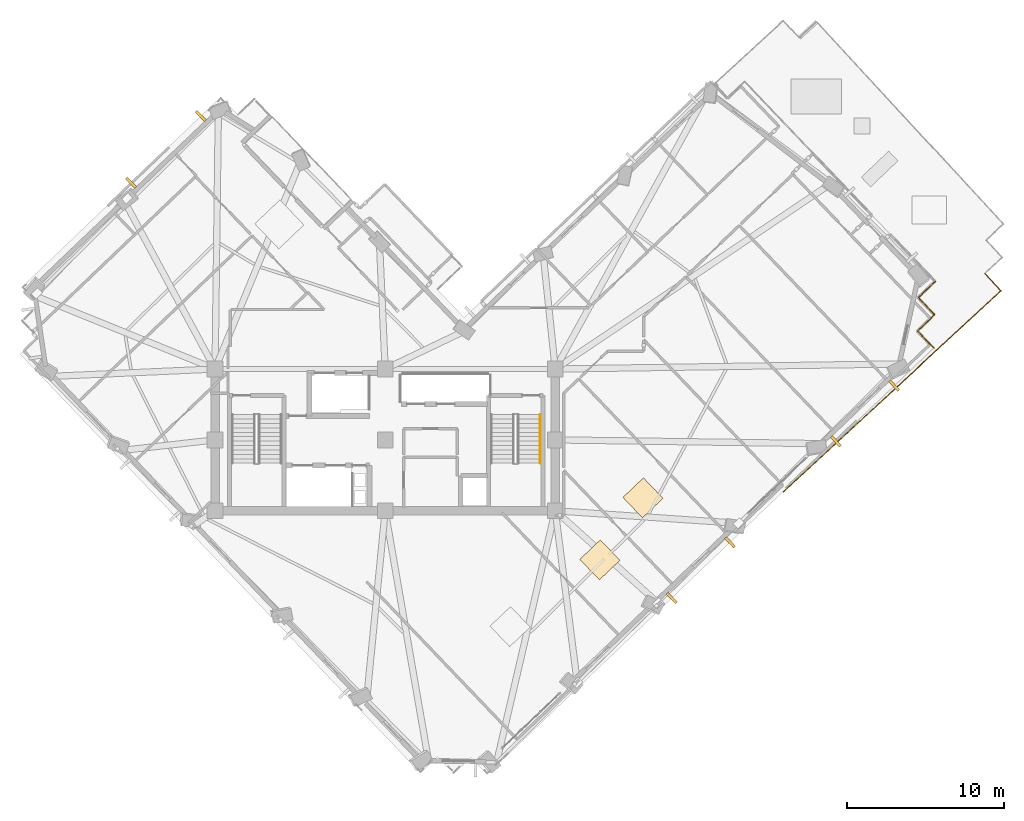
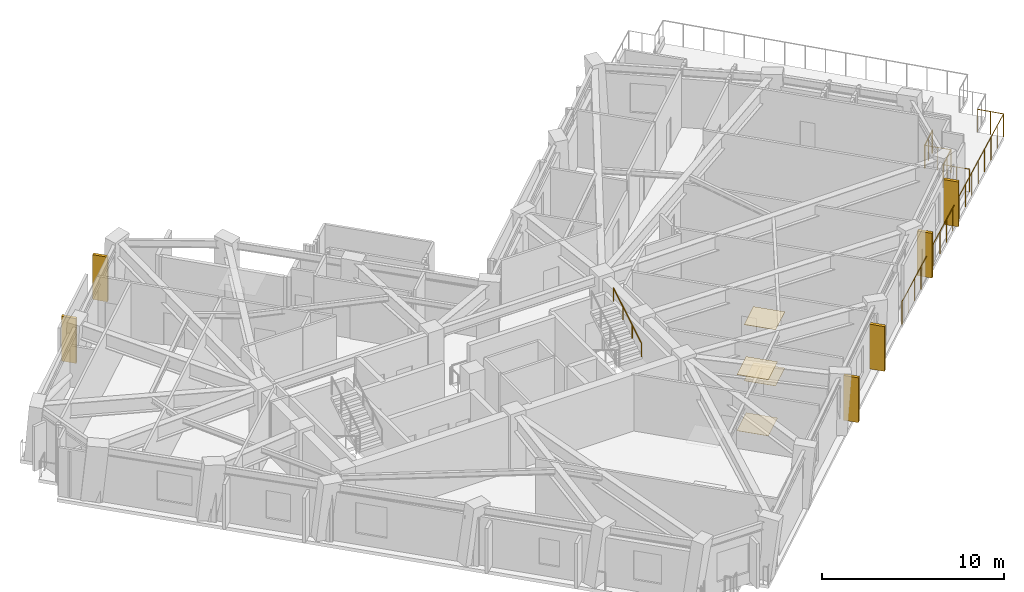
# One storey, part 15 of 17: 7 railings, 6 shading devices, 4 coverings.
"""IFC4 building model written with IfcOpenShell, lengths in metres."""

from ifc_helpers import new_model, si_unit, direction, frame, origin, origin_2d, place, context, subcontext, project, spatial, rectangle, circle, extrude, material, layer, layer_set, type_object, element, save


model = new_model("IFC4")

# Units and contexts
model_context = context("Model", 3, precision=1e-05, world=origin(), true_north=direction((0.0, 1.0)))
body_context = subcontext(model_context, "Body", "Model", "MODEL_VIEW")
ifc_project = project(units=[si_unit("LENGTHUNIT", "METRE"), si_unit("AREAUNIT", "SQUARE_METRE"), si_unit("VOLUMEUNIT", "CUBIC_METRE"), si_unit("PLANEANGLEUNIT", "RADIAN"), si_unit("MASSUNIT", "GRAM", prefix="KILO")], contexts=[model_context])

# Site, building, storey
site_placement = place(None, origin())
site = spatial("IfcSite", under=ifc_project, at=site_placement, CompositionType="ELEMENT")
building_placement = place(site_placement, origin())
building = spatial("IfcBuilding", under=site, at=building_placement, Name="Gaonmaruhae Medical Tower", CompositionType="ELEMENT")
storey_placement = place(building_placement, frame((0.0, 0.0, 211.199951171875)))
storey = spatial("IfcBuildingStorey", under=building, at=storey_placement, Name="L50", CompositionType="ELEMENT", Elevation=211.199951171875)

# Coverings
ifc_material_1 = material(Name="Acoustic mineral ceiling tile", Category="finish")
ifc_layer_1 = layer(ifc_material_1, 0.02490234375)
ifc_layer_set_1 = layer_set([ifc_layer_1], Name="Acoustic mineral ceiling tile")
covering_type_1 = type_object("IfcCoveringType", Name="CLG-01 Antimicrobial Acoustic Mineral Ceiling", PredefinedType="CEILING", material=ifc_layer_set_1)
for number, where, z_axis, x_axis, name in (
    (1, (38.43359375, 4.681396484375, 3.755126953125), (0.0, 0.0, 1.0), (0.72296714591, 0.690882411077, 0.0), "L50 Clinical Room Acoustic Ceiling 3"),
    (2, (41.170654296875, 8.620361328125, 3.755126953125), (0.0, 0.0, 1.0), (0.72296714591, 0.690882411077, 0.0), "L50 Clinical Room Acoustic Ceiling 4"),
):
    element("IfcCovering", number, at=place(storey_placement, frame(where, z_axis=z_axis, x_axis=x_axis)), inside=storey, type_object=covering_type_1, Name=name, PredefinedType="CEILING", context=body_context, shape_type="SweptSolid", body=[
        extrude(rectangle(XDim=1.800048828125, YDim=1.800048828125, at=origin_2d()), origin(), (0.0, 0.0, 1.0), 0.02490234375),
    ])
ifc_material_2 = material(Name="Seamless clinical vinyl flooring", Category="finish")
ifc_layer_2 = layer(ifc_material_2, 0.014892578125)
ifc_layer_set_2 = layer_set([ifc_layer_2], Name="Seamless clinical vinyl flooring")
covering_type_2 = type_object("IfcCoveringType", Name="FLR-01 Seamless Clinical Antistatic Vinyl Flooring", PredefinedType="FLOORING", material=ifc_layer_set_2)
for number, where, z_axis, x_axis, name in (
    (3, (38.43359375, 4.681396484375, 0.0), (0.0, 0.0, 1.0), (0.72296714591, 0.690882411077, 0.0), "L50 Clinical Room Vinyl Flooring 3"),
    (4, (41.170654296875, 8.620361328125, 0.0), (0.0, 0.0, 1.0), (0.72296714591, 0.690882411077, 0.0), "L50 Clinical Room Vinyl Flooring 4"),
):
    element("IfcCovering", number, at=place(storey_placement, frame(where, z_axis=z_axis, x_axis=x_axis)), inside=storey, type_object=covering_type_2, Name=name, PredefinedType="FLOORING", context=body_context, shape_type="SweptSolid", body=[
        extrude(rectangle(XDim=1.800048828125, YDim=1.800048828125, at=origin_2d()), origin(), (0.0, 0.0, 1.0), 0.014892578125),
    ])

# Railings
ifc_material_3 = material(Name="Stainless steel 316L and laminated safety glass", Category="steel")
ifc_layer_3 = layer(ifc_material_3, 0.080078125)
ifc_layer_set_3 = layer_set([ifc_layer_3], Name="Stainless steel 316L and laminated safety glass")
railing_type_1 = type_object("IfcRailingType", Name="GD-155 Planter-Edge Raised Safety Balustrade", PredefinedType="BALUSTRADE", material=ifc_layer_set_3)
railing_1_placement = place(storey_placement, frame((62.891845703125, 22.87060546875, 0.0)))
element("IfcRailing", 5, at=railing_1_placement, inside=storey, type_object=railing_type_1, Name="L50 Terrace Safety Guard RL-SLB-L50-SKYG1-06", PredefinedType="BALUSTRADE", context=body_context, shape_type="SweptSolid", body=[
    extrude(circle(Radius=0.02392578125, at=origin_2d()), frame((0.0, 0.0, 1.52587890625), z_axis=(0.678807284253, -0.734316465051, 0.0), x_axis=(0.734316465051, 0.678807284253, 0.0)), (0.0, 0.0, 1.0), 1.499755859375),
    extrude(circle(Radius=0.02099609375, at=origin_2d()), origin(), (0.0, 0.0, 1.0), 1.501953125),
    extrude(circle(Radius=0.02099609375, at=origin_2d()), frame((0.509033203125, -0.55078125, 0.0)), (0.0, 0.0, 1.0), 1.501953125),
    extrude(circle(Radius=0.02099609375, at=origin_2d()), frame((1.01806640625, -1.101318359375, 0.0)), (0.0, 0.0, 1.0), 1.501953125),
])
railing_2_placement = place(storey_placement, frame((63.909912109375, 21.769287109375, 0.0)))
element("IfcRailing", 6, at=railing_2_placement, inside=storey, type_object=railing_type_1, Name="L50 Terrace Safety Guard RL-SLB-L50-SKYG1-07", PredefinedType="BALUSTRADE", context=body_context, shape_type="SweptSolid", body=[
    extrude(circle(Radius=0.02392578125, at=origin_2d()), frame((0.0, 0.0, 1.52587890625), z_axis=(-0.734319443286, -0.67880406246, 0.0), x_axis=(0.67880406246, -0.734319443286, 0.0)), (0.0, 0.0, 1.0), 18.8046875),
    extrude(circle(Radius=0.02099609375, at=origin_2d()), origin(), (0.0, 0.0, 1.0), 1.501953125),
    extrude(circle(Radius=0.02099609375, at=origin_2d()), frame((-0.863037109375, -0.7978515625, 0.0)), (0.0, 0.0, 1.0), 1.501953125),
    extrude(circle(Radius=0.02099609375, at=origin_2d()), frame((-1.72607421875, -1.595703125, 0.0)), (0.0, 0.0, 1.0), 1.501953125),
    extrude(circle(Radius=0.02099609375, at=origin_2d()), frame((-2.589111328125, -2.393310546875, 0.0)), (0.0, 0.0, 1.0), 1.501953125),
    extrude(circle(Radius=0.02099609375, at=origin_2d()), frame((-3.4521484375, -3.191162109375, 0.0)), (0.0, 0.0, 1.0), 1.501953125),
    extrude(circle(Radius=0.02099609375, at=origin_2d()), frame((-4.315185546875, -3.989013671875, 0.0)), (0.0, 0.0, 1.0), 1.501953125),
    extrude(circle(Radius=0.02099609375, at=origin_2d()), frame((-5.17822265625, -4.78662109375, 0.0)), (0.0, 0.0, 1.0), 1.501953125),
    extrude(circle(Radius=0.02099609375, at=origin_2d()), frame((-6.041259765625, -5.58447265625, 0.0)), (0.0, 0.0, 1.0), 1.501953125),
    extrude(circle(Radius=0.02099609375, at=origin_2d()), frame((-6.904296875, -6.38232421875, 0.0)), (0.0, 0.0, 1.0), 1.501953125),
    extrude(circle(Radius=0.02099609375, at=origin_2d()), frame((-7.767333984375, -7.18017578125, 0.0)), (0.0, 0.0, 1.0), 1.501953125),
    extrude(circle(Radius=0.02099609375, at=origin_2d()), frame((-8.63037109375, -7.97802734375, 0.0)), (0.0, 0.0, 1.0), 1.501953125),
    extrude(circle(Radius=0.02099609375, at=origin_2d()), frame((-9.493408203125, -8.775634765625, 0.0)), (0.0, 0.0, 1.0), 1.501953125),
    extrude(circle(Radius=0.02099609375, at=origin_2d()), frame((-10.3564453125, -9.573486328125, 0.0)), (0.0, 0.0, 1.0), 1.501953125),
    extrude(circle(Radius=0.02099609375, at=origin_2d()), frame((-11.219482421875, -10.371337890625, 0.0)), (0.0, 0.0, 1.0), 1.501953125),
    extrude(circle(Radius=0.02099609375, at=origin_2d()), frame((-12.08251953125, -11.1689453125, 0.0)), (0.0, 0.0, 1.0), 1.501953125),
    extrude(circle(Radius=0.02099609375, at=origin_2d()), frame((-12.945556640625, -11.966796875, 0.0)), (0.0, 0.0, 1.0), 1.501953125),
    extrude(circle(Radius=0.02099609375, at=origin_2d()), frame((-13.80859375, -12.7646484375, 0.0)), (0.0, 0.0, 1.0), 1.501953125),
])
railing_3_placement = place(storey_placement, frame((59.646484375, 18.126220703125, 0.0)))
element("IfcRailing", 7, at=railing_3_placement, inside=storey, type_object=railing_type_1, Name="L50 Terrace Safety Guard RL-SLB-L50-SKYG1-09", PredefinedType="BALUSTRADE", context=body_context, shape_type="SweptSolid", body=[
    extrude(circle(Radius=0.02392578125, at=origin_2d()), frame((0.0, 0.0, 1.52587890625), z_axis=(-0.690893691, 0.722956366413, 0.0), x_axis=(-0.722956366413, -0.690893691, 0.0)), (0.0, 0.0, 1.0), 1.5),
    extrude(circle(Radius=0.02099609375, at=origin_2d()), origin(), (0.0, 0.0, 1.0), 1.501953125),
    extrude(circle(Radius=0.02099609375, at=origin_2d()), frame((-0.51806640625, 0.542236328125, 0.0)), (0.0, 0.0, 1.0), 1.501953125),
    extrude(circle(Radius=0.02099609375, at=origin_2d()), frame((-1.036376953125, 1.08447265625, 0.0)), (0.0, 0.0, 1.0), 1.501953125),
])
railing_4_placement = place(storey_placement, frame((58.610107421875, 19.210693359375, 0.0)))
element("IfcRailing", 8, at=railing_4_placement, inside=storey, type_object=railing_type_1, Name="L50 Terrace Safety Guard RL-SLB-L50-SKYG1-10", PredefinedType="BALUSTRADE", context=body_context, shape_type="SweptSolid", body=[
    extrude(circle(Radius=0.02392578125, at=origin_2d()), frame((0.0, 0.0, 1.52587890625), z_axis=(0.722956366413, 0.690893691, 0.0), x_axis=(-0.690893691, 0.722956366413, 0.0)), (0.0, 0.0, 1.0), 1.5),
    extrude(circle(Radius=0.02099609375, at=origin_2d()), origin(), (0.0, 0.0, 1.0), 1.501953125),
    extrude(circle(Radius=0.02099609375, at=origin_2d()), frame((0.542236328125, 0.51806640625, 0.0)), (0.0, 0.0, 1.0), 1.501953125),
    extrude(circle(Radius=0.02099609375, at=origin_2d()), frame((1.08447265625, 1.036376953125, 0.0)), (0.0, 0.0, 1.0), 1.501953125),
])
railing_5_placement = place(storey_placement, frame((59.694580078125, 20.2470703125, 0.0)))
element("IfcRailing", 9, at=railing_5_placement, inside=storey, type_object=railing_type_1, Name="L50 Terrace Safety Guard RL-SLB-L50-SKYG1-11", PredefinedType="BALUSTRADE", context=body_context, shape_type="SweptSolid", body=[
    extrude(circle(Radius=0.02392578125, at=origin_2d()), frame((0.0, 0.0, 1.52587890625), z_axis=(-0.690893691, 0.722956366413, 0.0), x_axis=(-0.722956366413, -0.690893691, 0.0)), (0.0, 0.0, 1.0), 1.5),
    extrude(circle(Radius=0.02099609375, at=origin_2d()), origin(), (0.0, 0.0, 1.0), 1.501953125),
    extrude(circle(Radius=0.02099609375, at=origin_2d()), frame((-0.51806640625, 0.542236328125, 0.0)), (0.0, 0.0, 1.0), 1.501953125),
    extrude(circle(Radius=0.02099609375, at=origin_2d()), frame((-1.036376953125, 1.08447265625, 0.0)), (0.0, 0.0, 1.0), 1.501953125),
])
railing_6_placement = place(storey_placement, frame((58.658203125, 21.33154296875, 0.0)))
element("IfcRailing", 10, at=railing_6_placement, inside=storey, type_object=railing_type_1, Name="L50 Terrace Safety Guard RL-SLB-L50-SKYG1-12", PredefinedType="BALUSTRADE", context=body_context, shape_type="SweptSolid", body=[
    extrude(circle(Radius=0.02392578125, at=origin_2d()), frame((0.0, 0.0, 1.52587890625), z_axis=(0.723034041068, 0.690812402506, 0.0), x_axis=(-0.690812402506, 0.723034041068, 0.0)), (0.0, 0.0, 1.0), 1.500244140625),
    extrude(circle(Radius=0.02099609375, at=origin_2d()), origin(), (0.0, 0.0, 1.0), 1.501953125),
    extrude(circle(Radius=0.02099609375, at=origin_2d()), frame((0.54248046875, 0.51806640625, 0.0)), (0.0, 0.0, 1.0), 1.501953125),
    extrude(circle(Radius=0.02099609375, at=origin_2d()), frame((1.084716796875, 1.036376953125, 0.0)), (0.0, 0.0, 1.0), 1.501953125),
])
ifc_material_4 = material(Name="Stainless steel 304 handrail", Category="steel")
railing_type_2 = type_object("IfcRailingType", Name="HR-092 Continuous Stainless Steel Stair Handrail", PredefinedType="HANDRAIL", material=ifc_material_4)
railing_7_placement = place(storey_placement, frame((34.64990234375, 10.820068359375, 2.166748046875)))
element("IfcRailing", 11, at=railing_7_placement, inside=storey, type_object=railing_type_2, Name="L50 ST-02 stair handrail 2", PredefinedType="HANDRAIL", context=body_context, shape_type="SweptSolid", body=[
    extrude(circle(Radius=0.02392578125, at=origin_2d()), frame((0.0, 0.0, 0.8759765625), z_axis=(0.0, 0.859290745958, 0.51148745235), x_axis=(-1.0, 0.0, 0.0)), (0.0, 0.0, 1.0), 3.584228515625),
    extrude(circle(Radius=0.02099609375, at=origin_2d()), origin(), (0.0, 0.0, 1.0), 0.851806640625),
    extrude(circle(Radius=0.02099609375, at=origin_2d()), frame((0.0, 1.026611328125, 0.611083984375)), (0.0, 0.0, 1.0), 0.851806640625),
    extrude(circle(Radius=0.02099609375, at=origin_2d()), frame((0.0, 2.05322265625, 1.22216796875)), (0.0, 0.0, 1.0), 0.851806640625),
    extrude(circle(Radius=0.02099609375, at=origin_2d()), frame((0.0, 3.079833984375, 1.833251953125)), (0.0, 0.0, 1.0), 0.851806640625),
])

# Shading devices
ifc_material_5 = material(Name="Pigmented coral precast concrete C45/55", Category="concrete")
shading_device_type = type_object("IfcShadingDeviceType", Name="SD-FIN1 Tower Vertical Coral Precast Shading Fin", PredefinedType="USERDEFINED", material=ifc_material_5)
for number, where, z_axis, x_axis, name in (
    (12, (46.700927734375, 5.789794921875, 0.132568359375), (0.0, 0.0, 1.0), (-0.72296714591, -0.690882411077, 0.0), "L50 Vertical Coral Precast Shading Fin S03"),
    (13, (43.004150390625, 2.257080078125, 0.132568359375), (0.0, 0.0, 1.0), (-0.72296714591, -0.690882411077, 0.0), "L50 Vertical Coral Precast Shading Fin S03B"),
    (14, (57.119384765625, 15.745849609375, 0.132568359375), (0.0, 0.0, 1.0), (-0.72296714591, -0.690882411077, 0.0), "L50 Vertical Coral Precast Shading Fin S05"),
    (15, (53.4189453125, 12.209716796875, 0.132568359375), (0.0, 0.0, 1.0), (-0.72296714591, -0.690882411077, 0.0), "L50 Vertical Coral Precast Shading Fin S05B"),
    (16, (8.661865234375, 28.62548828125, 0.132568359375), (0.0, 0.0, 1.0), (0.72296714591, 0.690882411077, 0.0), "L50 Vertical Coral Precast Shading Fin N01"),
    (17, (13.0966796875, 32.86328125, 0.132568359375), (0.0, 0.0, 1.0), (0.72296714591, 0.690882411077, 0.0), "L50 Vertical Coral Precast Shading Fin N01B"),
):
    element("IfcShadingDevice", number, at=place(storey_placement, frame(where, z_axis=z_axis, x_axis=x_axis)), inside=storey, type_object=shading_device_type, Name=name, ObjectType="FIN", PredefinedType="USERDEFINED", context=body_context, shape_type="SweptSolid", body=[
        extrude(rectangle(XDim=0.179931640625, YDim=0.85009765625, at=origin_2d()), origin(), (0.0, 0.0, 1.0), 3.0),
    ])

save(model, "model.ifc")
